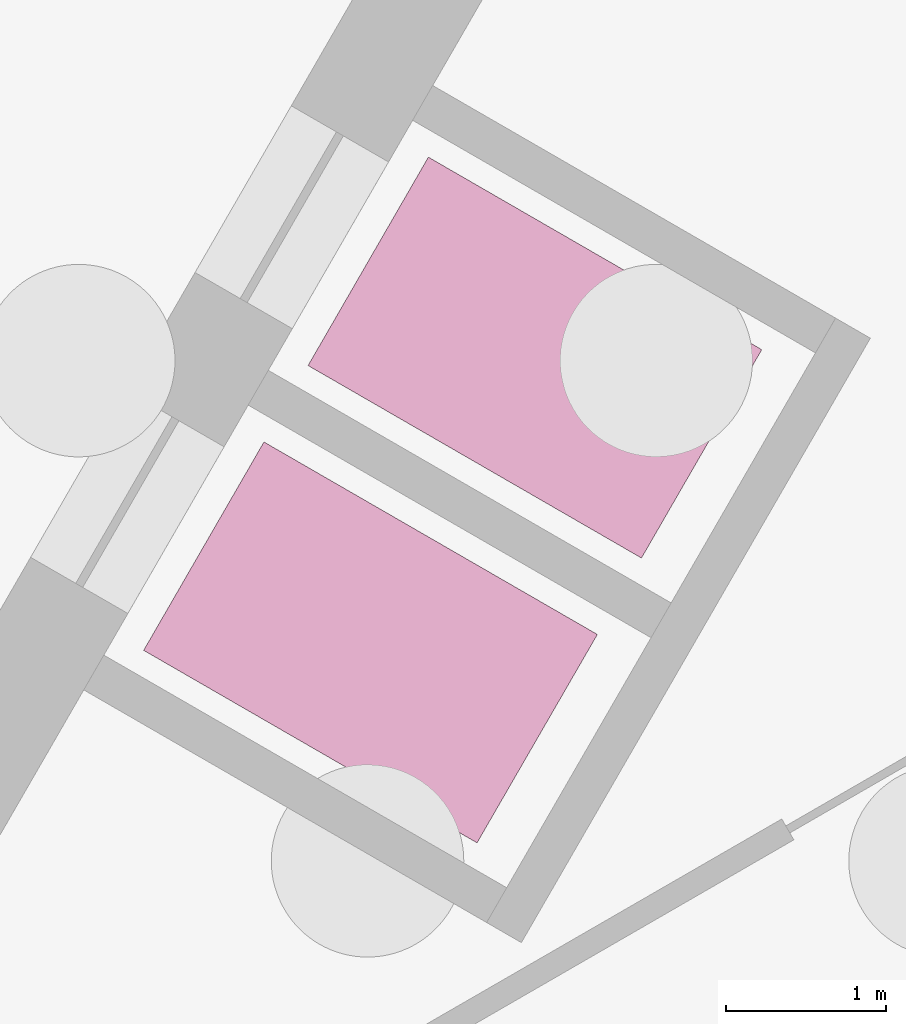
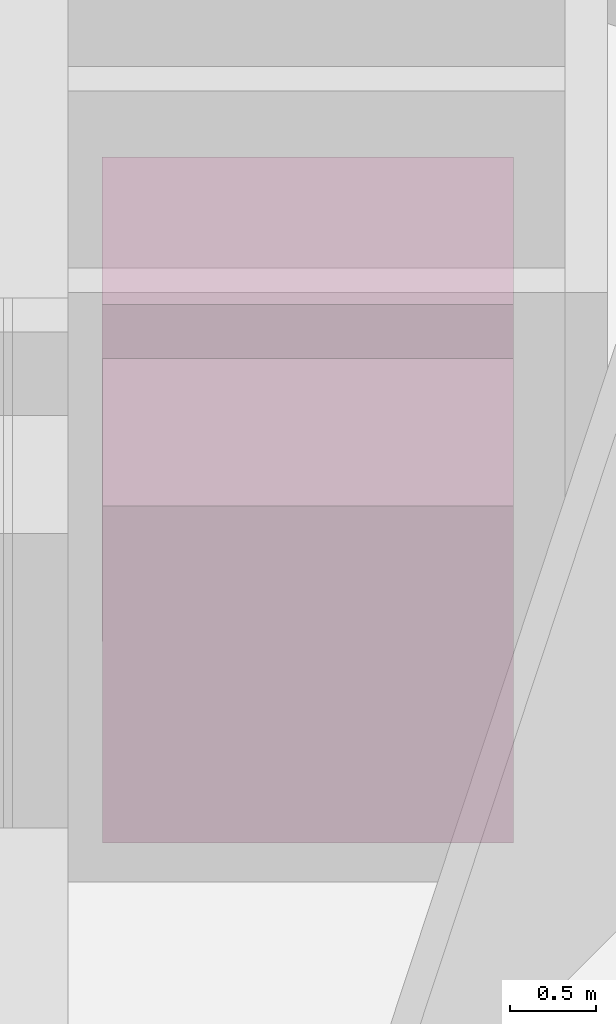
# One storey, part 9 of 9: 2 transport elements.
"""IFC4 building model written with IfcOpenShell, lengths in metres."""

import ifcopenshell
import ifcopenshell.guid

model = None  # the IFC model being written
_history = None  # IfcOwnerHistory: only IFC2X3 demands one
_inside = {}  # id of a spatial element -> (the spatial element, [elements in it])
_under = {}  # id of a project, library or spatial element -> (it, [spatial elements below it])
_declared = {}  # id of a project -> (the project, [libraries it declares])
_typed = {}  # id of a type object -> (the type object, [elements of that type])
_made_of = {}  # id of a material, layer set ... -> (it, [elements and type objects made of it])


def new_model(schema):
    """Start an empty IFC model of exactly this schema.

    Asked for "IFC4X3", IfcOpenShell would pick the latest addendum, in which some entities
    have other attributes; the version numbers below select the first issue.
    IFC2X3 requires an IfcOwnerHistory on every rooted entity: one is made here for all.
    """
    global model, _history
    if schema == "IFC4X3":
        model = ifcopenshell.file(schema_version=(4, 3, 0, 0))
    else:
        model = ifcopenshell.file(schema=schema)
    _inside.clear()
    _under.clear()
    _declared.clear()
    _typed.clear()
    _made_of.clear()
    _history = None
    if model.schema == "IFC2X3":
        org = make("IfcOrganization", Name="unknown")
        user = make(
            "IfcPersonAndOrganization",
            ThePerson=make("IfcPerson", FamilyName="unknown"),
            TheOrganization=org,
        )
        app = make(
            "IfcApplication",
            ApplicationDeveloper=org,
            Version="unknown",
            ApplicationFullName="unknown",
            ApplicationIdentifier="unknown",
        )
        _history = make(
            "IfcOwnerHistory",
            OwningUser=user,
            OwningApplication=app,
            ChangeAction="ADDED",
            CreationDate=0,
        )
    return model


def make(cls, **values):
    """One entity of the class cls with the attributes given. An attribute that is None is left unset."""
    return model.create_entity(
        cls, **{name: value for name, value in values.items() if value is not None}
    )


def rooted(cls, **values):
    """An entity with a GlobalId (a new one), such as an element, a storey or a relation."""
    return make(cls, GlobalId=ifcopenshell.guid.new(), OwnerHistory=_history, **values)


def si_unit(unit_type, name, prefix=None):
    """IfcSIUnit, for example si_unit("LENGTHUNIT", "METRE", prefix="MILLI")."""
    return make("IfcSIUnit", UnitType=unit_type, Prefix=prefix, Name=name)


def assignment(units):
    """IfcUnitAssignment: the units of a project."""
    return None if units is None else make("IfcUnitAssignment", Units=units)


def point(xyz):
    """IfcCartesianPoint."""
    return None if xyz is None else make("IfcCartesianPoint", Coordinates=xyz)


def direction(xyz):
    """IfcDirection."""
    return None if xyz is None else make("IfcDirection", DirectionRatios=xyz)


def frame(location, z_axis=None, x_axis=None):
    """IfcAxis2Placement3D, a coordinate frame: its origin and axes. An axis left out is left unset."""
    return make(
        "IfcAxis2Placement3D",
        Location=point(location),
        Axis=direction(z_axis),
        RefDirection=direction(x_axis),
    )


def frame_2d(location, x_axis=None):
    """IfcAxis2Placement2D, a coordinate frame in the plane: its origin and x axis."""
    return make(
        "IfcAxis2Placement2D", Location=point(location), RefDirection=direction(x_axis)
    )


def origin():
    """The frame at (0, 0, 0) with its axes left unset."""
    return frame((0.0, 0.0, 0.0))


def origin_2d():
    """The frame at (0, 0) in the plane with its x axis left unset."""
    return frame_2d((0.0, 0.0))


def place(relative_to, where):
    """IfcLocalPlacement: puts the frame where relative to a parent placement (None: the world)."""
    return make(
        "IfcLocalPlacement", PlacementRelTo=relative_to, RelativePlacement=where
    )


def context(
    kind, dimensions, precision=None, world=None, true_north=None, identifier=None
):
    """IfcGeometricRepresentationContext, for example the 3D "Model" context."""
    return make(
        "IfcGeometricRepresentationContext",
        ContextIdentifier=identifier,
        ContextType=kind,
        CoordinateSpaceDimension=dimensions,
        Precision=precision,
        WorldCoordinateSystem=world,
        TrueNorth=true_north,
    )


def subcontext(parent, identifier, kind, view, scale=None):
    """IfcGeometricRepresentationSubContext, for example "Body" below "Model"."""
    return make(
        "IfcGeometricRepresentationSubContext",
        ContextIdentifier=identifier,
        ContextType=kind,
        ParentContext=parent,
        TargetScale=scale,
        TargetView=view,
    )


def project(units=None, contexts=None):
    """IfcProject with its units and contexts."""
    return rooted(
        "IfcProject",
        Name="project",
        RepresentationContexts=contexts,
        UnitsInContext=assignment(units),
    )


def spatial(cls, under=None, at=None, **own):
    """A site, building, storey or space (cls), placed at a placement, below another one or the project."""
    s = rooted(cls, ObjectPlacement=at, **own)
    if under is not None:
        _under.setdefault(under.id(), (under, []))[1].append(s)
    return s


def profile(cls, at=None, kind="AREA", **sizes):
    """A parametric profile (cls). Its sizes go by their IFC names, for example OverallWidth=200.0."""
    return make(cls, ProfileType=kind, Position=at, **sizes)


def rectangle(**sizes):
    """IfcRectangleProfileDef."""
    return profile("IfcRectangleProfileDef", **sizes)


def extrude(swept, where, along, depth):
    """IfcExtrudedAreaSolid: the profile swept, set in the frame where, extruded along a direction by depth."""
    return make(
        "IfcExtrudedAreaSolid",
        SweptArea=swept,
        Position=where,
        ExtrudedDirection=direction(along),
        Depth=depth,
    )


def shape(context_of_items, identifier, shape_type, items):
    """IfcShapeRepresentation: the items that make up one representation, for example the "Body"."""
    return make(
        "IfcShapeRepresentation",
        ContextOfItems=context_of_items,
        RepresentationIdentifier=identifier,
        RepresentationType=shape_type,
        Items=items,
    )


def material(Name=None, Category=None):
    """IfcMaterial."""
    return make("IfcMaterial", Name=Name, Category=Category)


def made_of(thing, what):
    """Note that an element or type object is made of a material, layer set ...; save() writes the relation."""
    if what is not None:
        _made_of.setdefault(what.id(), (what, []))[1].append(thing)
    return thing


def type_object(cls, material=None, **own):
    """A type object (cls), such as IfcWallType, which elements share."""
    return made_of(rooted(cls, **own), material)


def element(
    cls,
    number,
    at=None,
    inside=None,
    cuts=None,
    type_object=None,
    material=None,
    context=None,
    identifier="Body",
    shape_type=None,
    held_by="IfcProductDefinitionShape",
    body=None,
    shapes=None,
    **own,
):
    """One element of the class cls, such as IfcWall. Its Tag is "e" and its number.

    at: its placement. inside: the storey or other place that contains it. cuts: it is an
    opening in that element (IfcRelVoidsElement). A single representation is given by context,
    identifier, shape_type and body (its items); several are given by shapes. held_by: the class
    of the entity that holds the representations. save() writes the other relations.
    """
    e = rooted(cls, Tag="e%d" % number, ObjectPlacement=at, **own)
    if body is not None:
        shapes = [shape(context, identifier, shape_type, body)]
    if shapes is not None:
        e.Representation = make(held_by, Representations=shapes)
    if inside is not None:
        _inside.setdefault(inside.id(), (inside, []))[1].append(e)
    if cuts is not None:
        rooted(
            "IfcRelVoidsElement", RelatingBuildingElement=cuts, RelatedOpeningElement=e
        )
    if type_object is not None:
        _typed.setdefault(type_object.id(), (type_object, []))[1].append(e)
    return made_of(e, material)


def aggregate(whole, parts):
    """IfcRelAggregates: a whole, such as a stair, and the parts it consists of."""
    return rooted("IfcRelAggregates", RelatingObject=whole, RelatedObjects=parts)


def save(model, path):
    """Write the relations noted so far, then the file.

    IfcRelAggregates (storeys below a building ...), IfcRelContainedInSpatialStructure (elements
    in a storey), IfcRelDefinesByType, IfcRelAssociatesMaterial and IfcRelDeclares: one each for
    every whole, place, type object, material and project.
    """
    for whole, parts in _under.values():
        aggregate(whole, parts)
    for where, things in _inside.values():
        rooted(
            "IfcRelContainedInSpatialStructure",
            RelatedElements=things,
            RelatingStructure=where,
        )
    for kind, things in _typed.values():
        rooted("IfcRelDefinesByType", RelatedObjects=things, RelatingType=kind)
    for what, things in _made_of.values():
        rooted("IfcRelAssociatesMaterial", RelatedObjects=things, RelatingMaterial=what)
    for by, libraries in _declared.values():
        rooted("IfcRelDeclares", RelatingContext=by, RelatedDefinitions=libraries)
    model.write(path)


model = new_model("IFC4")

# Units and contexts
model_context = context("Model", 3, precision=1e-05, world=origin(), true_north=direction((0.0, 1.0)))
body_context = subcontext(model_context, "Body", "Model", "MODEL_VIEW")
ifc_project = project(units=[si_unit("LENGTHUNIT", "METRE"), si_unit("AREAUNIT", "SQUARE_METRE"), si_unit("VOLUMEUNIT", "CUBIC_METRE"), si_unit("PLANEANGLEUNIT", "RADIAN"), si_unit("MASSUNIT", "GRAM", prefix="KILO")], contexts=[model_context])

# Site, building, storey
site_placement = place(None, origin())
site = spatial("IfcSite", under=ifc_project, at=site_placement, CompositionType="ELEMENT")
building_placement = place(site_placement, origin())
building = spatial("IfcBuilding", under=site, at=building_placement, Name="Noor Cloister Tower", CompositionType="ELEMENT")
storey_placement = place(building_placement, frame((0.0, 0.0, -9.0)))
storey = spatial("IfcBuildingStorey", under=building, at=storey_placement, Name="B2", CompositionType="ELEMENT", Elevation=-9.0)

# Transport elements
ifc_material = material(Name="Stainless steel", Category="steel")
transport_element_type = type_object("IfcTransportElementType", Name="Lift car FF 2500 kg 1500 x 2400", PredefinedType="ELEVATOR", material=ifc_material)
for number, where, z_axis, x_axis, name in (
    (1, (-4.3564453125, 2.111083984375, 0.0), (0.0, 0.0, 1.0), (-0.5, -0.866025403784, 0.0), "Firefighting lift FF1"),
    (2, (-5.38134765625, 0.335693359375, 0.0), (0.0, 0.0, 1.0), (-0.5, -0.866025403784, 0.0), "Firefighting lift FF2"),
):
    element("IfcTransportElement", number, at=place(storey_placement, frame(where, z_axis=z_axis, x_axis=x_axis)), inside=storey, type_object=transport_element_type, Name=name, PredefinedType="ELEVATOR", context=body_context, shape_type="SweptSolid", body=[
        extrude(rectangle(XDim=1.5, YDim=2.39990234375, at=origin_2d()), origin(), (0.0, 0.0, 1.0), 2.39990234375),
    ])

save(model, "model.ifc")
